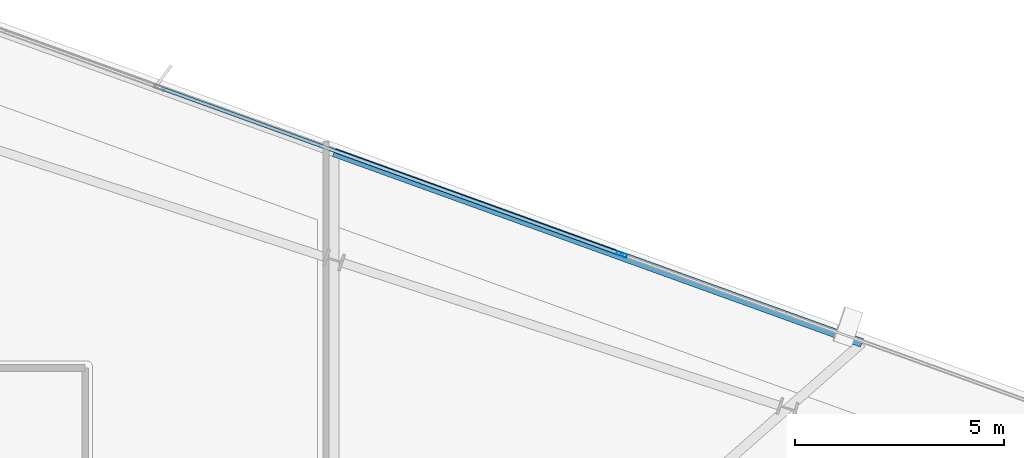
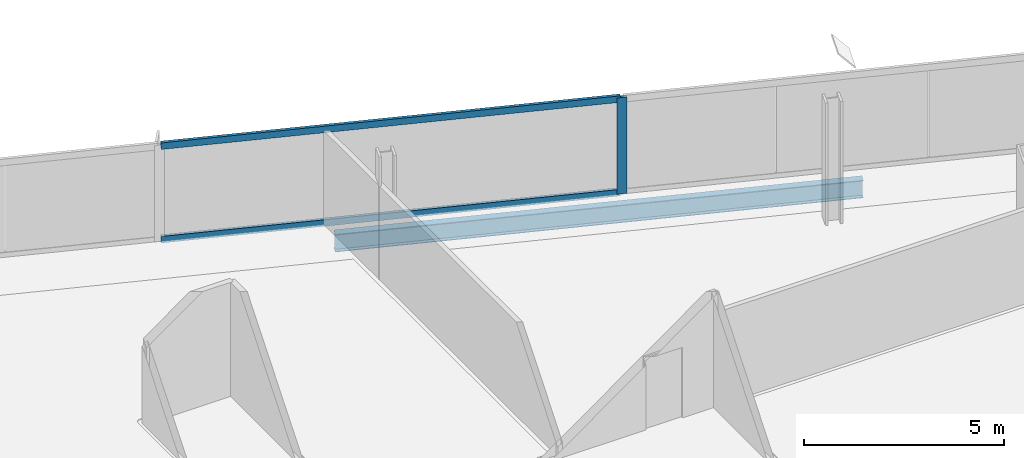
# One storey, part 17 of 27: 3 members, 1 beam, 1 element without a shape of its own.
"""IFC4 building model written with IfcOpenShell, lengths in metres."""

from ifc_helpers import new_model, si_unit, direction, frame, origin, origin_2d, place, context, subcontext, project, spatial, hollow_rectangle, i_section, extrude, material, material_profile, profile_set, type_object, element, aggregate, save


model = new_model("IFC4")

# Units and contexts
model_context = context("Model", 3, precision=1e-05, world=origin(), true_north=direction((0.0, 1.0)))
body_context = subcontext(model_context, "Body", "Model", "MODEL_VIEW")
ifc_project = project(units=[si_unit("LENGTHUNIT", "METRE"), si_unit("AREAUNIT", "SQUARE_METRE"), si_unit("VOLUMEUNIT", "CUBIC_METRE"), si_unit("PLANEANGLEUNIT", "RADIAN"), si_unit("MASSUNIT", "GRAM", prefix="KILO")], contexts=[model_context])

# Site, building, storey
site_placement = place(None, origin())
site = spatial("IfcSite", under=ifc_project, at=site_placement, CompositionType="ELEMENT")
building_placement = place(site_placement, origin())
building = spatial("IfcBuilding", under=site, at=building_placement, Name="Haldenkirk Collegiate Tower", CompositionType="ELEMENT")
storey_placement = place(building_placement, frame((0.0, 0.0, 263.699951171875)))
storey = spatial("IfcBuildingStorey", under=building, at=storey_placement, Name="L66", CompositionType="ELEMENT", Elevation=263.699951171875)

# Beam
ifc_material_1 = material(Name="Steel ASTM A992 Grade 50", Category="steel")
ifc_material_profile_1 = material_profile(ifc_material_1, i_section(OverallWidth=0.2099609375, OverallDepth=0.537109375, WebThickness=0.010986328125, FlangeThickness=0.017333984375, at=origin_2d()), Name="W21X68")
ifc_profile_set_1 = profile_set([ifc_material_profile_1], Name="Steel ASTM A992 Grade 50")
beam_type = type_object("IfcBeamType", Name="BM-SPANDREL-W21X68", PredefinedType="SPANDREL", material=ifc_profile_set_1)
beam_placement = place(storey_placement, frame((55.793212890625, 43.498779296875, -0.538330078125), z_axis=(-0.94058671672, 0.339553572105, 0.0), x_axis=(-0.339553572105, -0.94058671672, 0.0)))
element("IfcBeam", 1, at=beam_placement, inside=storey, type_object=beam_type, Name="L66 outer facade edge beam 2A", PredefinedType="SPANDREL", context=body_context, shape_type="SweptSolid", body=[
    extrude(i_section(OverallWidth=0.2099609375, OverallDepth=0.537109375, WebThickness=0.010986328125, FlangeThickness=0.017333984375, at=origin_2d()), origin(), (0.0, 0.0, 1.0), 13.3994140625),
])

# Curtain wall, members
ifc_material_2 = material(Name="Anodised architectural bronze aluminium", Category="aluminium")
curtain_wall_type = type_object("IfcCurtainWallType", Name="CW-SYS1B-CONVEX-HI", PredefinedType="USERDEFINED", material=ifc_material_2)
curtain_wall_placement = place(storey_placement, origin())
curtain_wall = element("IfcCurtainWall", 2, at=curtain_wall_placement, inside=storey, type_object=curtain_wall_type, Name="L66 Upper tower high-wind convex bronze unitised curtain wall", ObjectType="UNITISED CURTAIN WALL", PredefinedType="USERDEFINED")
ifc_material_profile_2 = material_profile(ifc_material_2, hollow_rectangle(XDim=0.0849609375, YDim=0.25, WallThickness=0.0048828125, at=origin_2d()), Name="CW-MUL-1B")
ifc_profile_set_2 = profile_set([ifc_material_profile_2], Name="Anodised architectural bronze aluminium")
member_type_1 = type_object("IfcMemberType", Name="CW-MUL-1B", PredefinedType="MULLION", material=ifc_profile_set_2)
member_1_placement = place(storey_placement, frame((50.06103515625, 45.610595703125, 0.0), z_axis=(0.0, 0.0, 1.0), x_axis=(0.339556919618, 0.940585508255, 0.0)))
member_1 = element("IfcMember", 3, at=member_1_placement, type_object=member_type_1, Name="CW-1B mullion 3", PredefinedType="MULLION", context=body_context, shape_type="SweptSolid", body=[
    extrude(hollow_rectangle(XDim=0.0849609375, YDim=0.25, WallThickness=0.0048828125, at=origin_2d()), origin(), (0.0, 0.0, 1.0), 2.93798828125),
])
ifc_material_profile_3 = material_profile(ifc_material_2, hollow_rectangle(XDim=0.0849609375, YDim=0.199951171875, WallThickness=0.0048828125, at=origin_2d()), Name="CW-TRN-1B")
ifc_profile_set_3 = profile_set([ifc_material_profile_3], Name="Anodised architectural bronze aluminium")
member_type_2 = type_object("IfcMemberType", Name="CW-TRN-1B", PredefinedType="USERDEFINED", material=ifc_profile_set_3)
member_2_placement = place(storey_placement, frame((39.06494140625, 49.580322265625, 0.04248046875), z_axis=(0.940584583508, -0.339559481191, 0.0), x_axis=(0.339559481191, 0.940584583508, 0.0)))
member_2 = element("IfcMember", 4, at=member_2_placement, type_object=member_type_2, Name="CW-1B transom 2.1", ObjectType="TRANSOM", PredefinedType="USERDEFINED", context=body_context, shape_type="SweptSolid", body=[
    extrude(hollow_rectangle(XDim=0.0849609375, YDim=0.199951171875, WallThickness=0.0048828125, at=origin_2d()), origin(), (0.0, 0.0, 1.0), 11.6484375),
])
member_3_placement = place(storey_placement, frame((39.06494140625, 49.580322265625, 2.8955078125), z_axis=(0.940584583508, -0.339559481191, 0.0), x_axis=(0.339559481191, 0.940584583508, 0.0)))
member_3 = element("IfcMember", 5, at=member_3_placement, type_object=member_type_2, Name="CW-1B transom 2.2", ObjectType="TRANSOM", PredefinedType="USERDEFINED", context=body_context, shape_type="SweptSolid", body=[
    extrude(hollow_rectangle(XDim=0.0849609375, YDim=0.199951171875, WallThickness=0.0048828125, at=origin_2d()), origin(), (0.0, 0.0, 1.0), 11.6484375),
])
aggregate(curtain_wall, [member_1, member_2, member_3])

save(model, "model.ifc")
